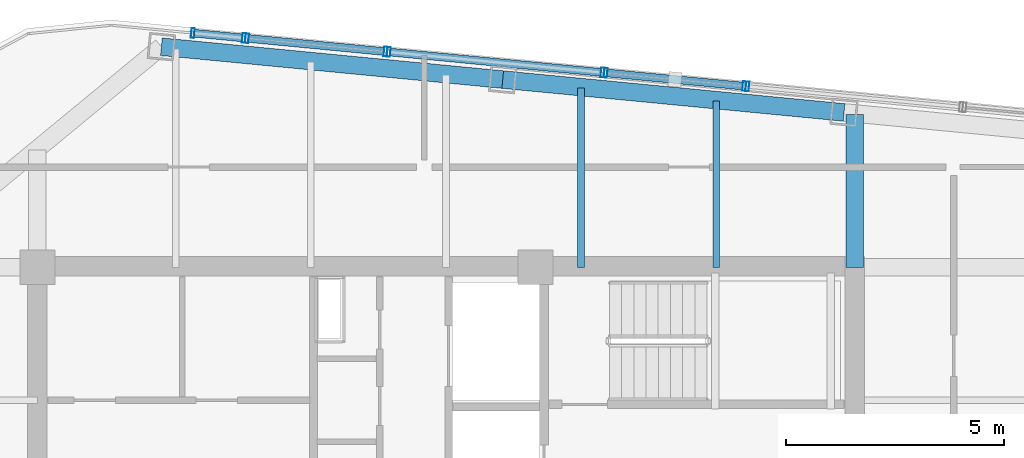
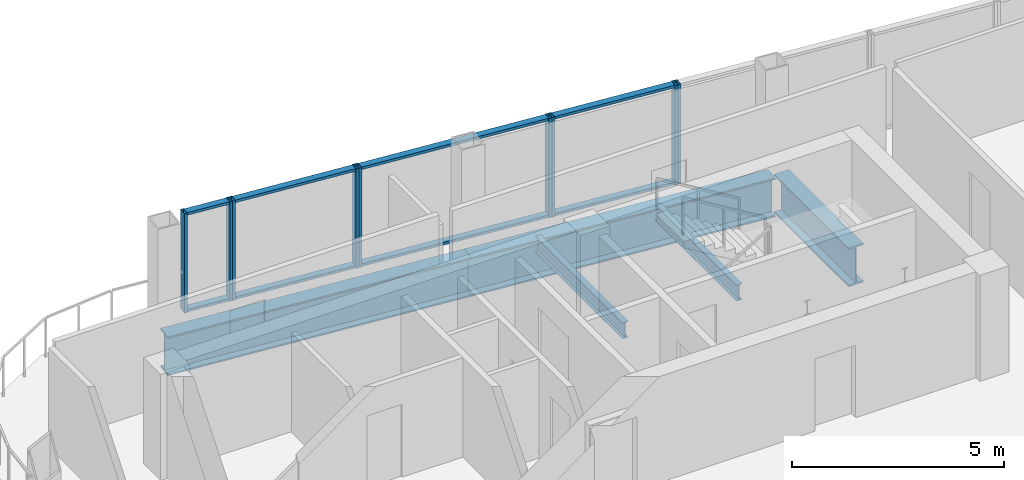
# One storey, part 14 of 22: 17 members, 5 beams, 5 elements without a shape of their own.
"""IFC4 building model written with IfcOpenShell, lengths in metres."""

from ifc_helpers import new_model, si_unit, direction, frame, origin, origin_2d, place, context, subcontext, project, spatial, hollow_rectangle, i_section, extrude, material, layer, layer_set, material_profile, profile_set, type_object, element, aggregate, save


model = new_model("IFC4")

# Units and contexts
model_context = context("Model", 3, precision=1e-05, world=origin(), true_north=direction((0.0, 1.0)))
body_context = subcontext(model_context, "Body", "Model", "MODEL_VIEW")
ifc_project = project(units=[si_unit("LENGTHUNIT", "METRE"), si_unit("AREAUNIT", "SQUARE_METRE"), si_unit("VOLUMEUNIT", "CUBIC_METRE"), si_unit("PLANEANGLEUNIT", "RADIAN"), si_unit("MASSUNIT", "GRAM", prefix="KILO")], contexts=[model_context])

# Site, building, storey
site_placement = place(None, origin())
site = spatial("IfcSite", under=ifc_project, at=site_placement, CompositionType="ELEMENT")
building_placement = place(site_placement, origin())
building = spatial("IfcBuilding", under=site, at=building_placement, Name="Qhalaya Broadcast Tower", CompositionType="ELEMENT")
storey_placement = place(building_placement, frame((0.0, 0.0, 245.89990234375)))
storey = spatial("IfcBuildingStorey", under=building, at=storey_placement, Name="L72", CompositionType="ELEMENT", Elevation=245.89990234375)

# Beams
ifc_material_1 = material(Name="Structural Steel ASTM A992 Grade 50", Category="steel")
ifc_material_profile_1 = material_profile(ifc_material_1, i_section(OverallWidth=0.154052734375, OverallDepth=0.458984375, WebThickness=0.009033203125, FlangeThickness=0.015380859375, at=origin_2d()), Name="W18X46")
ifc_profile_set_1 = profile_set([ifc_material_profile_1], Name="Structural Steel ASTM A992 Grade 50")
beam_type_1 = type_object("IfcBeamType", Name="Composite Floor Joist J04", PredefinedType="JOIST", material=ifc_profile_set_1)
beam_1_placement = place(storey_placement, frame((3.10009765625, 9.949951171875, -0.41943359375), z_axis=(0.0, 1.0, 0.0), x_axis=(-1.0, 0.0, 0.0)))
element("IfcBeam", 1, at=beam_1_placement, inside=storey, type_object=beam_type_1, Name="L72 J04 L72-JNN4-1", PredefinedType="JOIST", context=body_context, shape_type="SweptSolid", body=[
    extrude(i_section(OverallWidth=0.154052734375, OverallDepth=0.458984375, WebThickness=0.009033203125, FlangeThickness=0.015380859375, at=origin_2d()), origin(), (0.0, 0.0, 1.0), 4.11328125),
])
beam_2_placement = place(storey_placement, frame((6.199951171875, 9.949951171875, -0.41943359375), z_axis=(0.0, 1.0, 0.0), x_axis=(-1.0, 0.0, 0.0)))
element("IfcBeam", 2, at=beam_2_placement, inside=storey, type_object=beam_type_1, Name="L72 J04 L72-JNN5-1", PredefinedType="JOIST", context=body_context, shape_type="SweptSolid", body=[
    extrude(i_section(OverallWidth=0.154052734375, OverallDepth=0.458984375, WebThickness=0.009033203125, FlangeThickness=0.015380859375, at=origin_2d()), origin(), (0.0, 0.0, 1.0), 3.814697265625),
])
ifc_material_profile_2 = material_profile(ifc_material_1, i_section(OverallWidth=0.404052734375, OverallDepth=1.117919921875, WebThickness=0.026123046875, FlangeThickness=0.044921875, at=origin_2d()), Name="W44X335")
ifc_profile_set_2 = profile_set([ifc_material_profile_2], Name="Structural Steel ASTM A992 Grade 50")
beam_type_2 = type_object("IfcBeamType", Name="Podium Long-Span Primary Girder PG1", PredefinedType="USERDEFINED", material=ifc_profile_set_2)
beam_3_placement = place(storey_placement, frame((9.132568359375, 13.50244140625, -0.7490234375), z_axis=(-0.995397308407, 0.095834223619, 0.0), x_axis=(-0.095834223619, -0.995397308407, 0.0)))
element("IfcBeam", 3, at=beam_3_placement, inside=storey, type_object=beam_type_2, Name="L72 PG1 L72-SPR-10", ObjectType="GIRDER", PredefinedType="USERDEFINED", context=body_context, shape_type="SweptSolid", body=[
    extrude(i_section(OverallWidth=0.404052734375, OverallDepth=1.117919921875, WebThickness=0.026123046875, FlangeThickness=0.044921875, at=origin_2d()), origin(), (0.0, 0.0, 1.0), 7.86669921875),
])
beam_4_placement = place(storey_placement, frame((1.302001953125, 14.25634765625, -0.7490234375), z_axis=(-0.995394062251, 0.095867934346, 0.0), x_axis=(-0.095867934346, -0.995394062251, 0.0)))
element("IfcBeam", 4, at=beam_4_placement, inside=storey, type_object=beam_type_2, Name="L72 PG1 L72-SPR-11", ObjectType="GIRDER", PredefinedType="USERDEFINED", context=body_context, shape_type="SweptSolid", body=[
    extrude(i_section(OverallWidth=0.404052734375, OverallDepth=1.117919921875, WebThickness=0.026123046875, FlangeThickness=0.044921875, at=origin_2d()), origin(), (0.0, 0.0, 1.0), 7.866455078125),
])
beam_5_placement = place(storey_placement, frame((9.375, 9.949951171875, -0.7490234375), z_axis=(0.0, 1.0, 0.0), x_axis=(-1.0, 0.0, 0.0)))
element("IfcBeam", 5, at=beam_5_placement, inside=storey, type_object=beam_type_2, Name="L72 PG1 L72-PGXN2-1", ObjectType="GIRDER", PredefinedType="USERDEFINED", context=body_context, shape_type="SweptSolid", body=[
    extrude(i_section(OverallWidth=0.404052734375, OverallDepth=1.117919921875, WebThickness=0.026123046875, FlangeThickness=0.044921875, at=origin_2d()), origin(), (0.0, 0.0, 1.0), 3.509033203125),
])

# Curtain wall, member
ifc_material_2 = material(Name="Fired Architectural Terracotta", Category="masonry")
ifc_layer_1 = layer(ifc_material_2, 0.219970703125, Name="Fired Architectural Terracotta")
ifc_layer_set_1 = layer_set([ifc_layer_1], Name="Fired Architectural Terracotta")
curtain_wall_type_1 = type_object("IfcCurtainWallType", Name="Block-Cap Unitised Terracotta Spandrel Wall CW-07", PredefinedType="NOTDEFINED", material=ifc_layer_set_1)
curtain_wall_1_placement = place(storey_placement, origin())
curtain_wall_1 = element("IfcCurtainWall", 6, at=curtain_wall_1_placement, inside=storey, type_object=curtain_wall_type_1, Name="L72 Unitised Curtain Wall L72-CW-N3", PredefinedType="NOTDEFINED")
ifc_material_3 = material(Name="Anodised Aluminium 6063-T6", Category="aluminium")
ifc_material_profile_3 = material_profile(ifc_material_3, hollow_rectangle(XDim=0.074951171875, YDim=0.219970703125, WallThickness=0.00390625, at=origin_2d()), Name="ALU-MUL 75x220x4")
ifc_profile_set_3 = profile_set([ifc_material_profile_3], Name="Anodised Aluminium 6063-T6")
member_type_1 = type_object("IfcMemberType", Name="Unitised Curtain-Wall Mullion M01", PredefinedType="MULLION", material=ifc_profile_set_3)
member_1_placement = place(storey_placement, frame((6.91650390625, 14.09765625, 0.0), z_axis=(0.0, 0.0, 1.0), x_axis=(-0.995394803391, 0.095860238798, 0.0)))
member_1 = element("IfcMember", 7, at=member_1_placement, type_object=member_type_1, Name="CW-07 mullion 2", PredefinedType="MULLION", context=body_context, shape_type="SweptSolid", body=[
    extrude(hollow_rectangle(XDim=0.074951171875, YDim=0.219970703125, WallThickness=0.00390625, at=origin_2d()), origin(), (0.0, 0.0, 1.0), 2.860107421875),
])
aggregate(curtain_wall_1, [member_1])

# Curtain wall, members
ifc_material_4 = material(Name="Solar-Control Low-E Triple Glazing", Category="glass")
ifc_layer_2 = layer(ifc_material_4, 0.219970703125, Name="Solar-Control Low-E Triple Glazing")
ifc_layer_set_2 = layer_set([ifc_layer_2], Name="Solar-Control Low-E Triple Glazing")
curtain_wall_type_2 = type_object("IfcCurtainWallType", Name="High-Altitude Upper-Shaft Triple Low-E Curtain Wall CW-04", PredefinedType="NOTDEFINED", material=ifc_layer_set_2)
curtain_wall_2_placement = place(storey_placement, origin())
curtain_wall_2 = element("IfcCurtainWall", 8, at=curtain_wall_2_placement, inside=storey, type_object=curtain_wall_type_2, Name="L72 Unitised Curtain Wall L72-CW-N4", PredefinedType="NOTDEFINED")
member_2_placement = place(storey_placement, frame((6.841796875, 14.104736328125, 0.0), z_axis=(0.0, 0.0, 1.0), x_axis=(-0.995396959799, 0.095837844424, 0.0)))
member_2 = element("IfcMember", 9, at=member_2_placement, type_object=member_type_1, Name="CW-04 mullion 1", PredefinedType="MULLION", context=body_context, shape_type="SweptSolid", body=[
    extrude(hollow_rectangle(XDim=0.074951171875, YDim=0.219970703125, WallThickness=0.00390625, at=origin_2d()), origin(), (0.0, 0.0, 1.0), 2.860107421875),
])
member_3_placement = place(storey_placement, frame((3.66552734375, 14.41064453125, 0.0), z_axis=(0.0, 0.0, 1.0), x_axis=(-0.995396959799, 0.095837844424, 0.0)))
member_3 = element("IfcMember", 10, at=member_3_placement, type_object=member_type_1, Name="CW-04 mullion 2", PredefinedType="MULLION", context=body_context, shape_type="SweptSolid", body=[
    extrude(hollow_rectangle(XDim=0.074951171875, YDim=0.219970703125, WallThickness=0.00390625, at=origin_2d()), origin(), (0.0, 0.0, 1.0), 2.860107421875),
])

curtain_wall_3_placement = place(storey_placement, origin())
curtain_wall_3 = element("IfcCurtainWall", 11, at=curtain_wall_3_placement, inside=storey, type_object=curtain_wall_type_1, Name="L72 Unitised Curtain Wall L72-CW-N5", PredefinedType="NOTDEFINED")
member_4_placement = place(storey_placement, frame((3.591064453125, 14.417724609375, 0.0), z_axis=(0.0, 0.0, 1.0), x_axis=(-0.995394873929, 0.095859506338, 0.0)))
member_4 = element("IfcMember", 12, at=member_4_placement, type_object=member_type_1, Name="CW-07 mullion 1", PredefinedType="MULLION", context=body_context, shape_type="SweptSolid", body=[
    extrude(hollow_rectangle(XDim=0.074951171875, YDim=0.219970703125, WallThickness=0.00390625, at=origin_2d()), origin(), (0.0, 0.0, 1.0), 2.860107421875),
])
member_5_placement = place(storey_placement, frame((-1.311279296875, 14.889892578125, 0.0), z_axis=(0.0, 0.0, 1.0), x_axis=(-0.995394873929, 0.095859506338, 0.0)))
member_5 = element("IfcMember", 13, at=member_5_placement, type_object=member_type_1, Name="CW-07 mullion 2", PredefinedType="MULLION", context=body_context, shape_type="SweptSolid", body=[
    extrude(hollow_rectangle(XDim=0.074951171875, YDim=0.219970703125, WallThickness=0.00390625, at=origin_2d()), origin(), (0.0, 0.0, 1.0), 2.860107421875),
])

curtain_wall_4_placement = place(storey_placement, origin())
curtain_wall_4 = element("IfcCurtainWall", 14, at=curtain_wall_4_placement, inside=storey, type_object=curtain_wall_type_2, Name="L72 Unitised Curtain Wall L72-CW-N6", PredefinedType="NOTDEFINED")
member_6_placement = place(storey_placement, frame((-1.385986328125, 14.89697265625, 0.0), z_axis=(0.0, 0.0, 1.0), x_axis=(-0.995397132343, 0.095836052317, 0.0)))
member_6 = element("IfcMember", 15, at=member_6_placement, type_object=member_type_1, Name="CW-04 mullion 1", PredefinedType="MULLION", context=body_context, shape_type="SweptSolid", body=[
    extrude(hollow_rectangle(XDim=0.074951171875, YDim=0.219970703125, WallThickness=0.00390625, at=origin_2d()), origin(), (0.0, 0.0, 1.0), 2.860107421875),
])
member_7_placement = place(storey_placement, frame((-4.5634765625, 15.203125, 0.0), z_axis=(0.0, 0.0, 1.0), x_axis=(-0.995397132343, 0.095836052317, 0.0)))
member_7 = element("IfcMember", 16, at=member_7_placement, type_object=member_type_1, Name="CW-04 mullion 2", PredefinedType="MULLION", context=body_context, shape_type="SweptSolid", body=[
    extrude(hollow_rectangle(XDim=0.074951171875, YDim=0.219970703125, WallThickness=0.00390625, at=origin_2d()), origin(), (0.0, 0.0, 1.0), 2.860107421875),
])

curtain_wall_5_placement = place(storey_placement, origin())
curtain_wall_5 = element("IfcCurtainWall", 17, at=curtain_wall_5_placement, inside=storey, type_object=curtain_wall_type_1, Name="L72 Unitised Curtain Wall L72-CW-N7", PredefinedType="NOTDEFINED")
member_8_placement = place(storey_placement, frame((-4.637939453125, 15.210205078125, 0.0), z_axis=(0.0, 0.0, 1.0), x_axis=(-0.995396414656, 0.095843506251, 0.0)))
member_8 = element("IfcMember", 18, at=member_8_placement, type_object=member_type_1, Name="CW-07 mullion 1", PredefinedType="MULLION", context=body_context, shape_type="SweptSolid", body=[
    extrude(hollow_rectangle(XDim=0.074951171875, YDim=0.219970703125, WallThickness=0.00390625, at=origin_2d()), origin(), (0.0, 0.0, 1.0), 2.860107421875),
])
member_9_placement = place(storey_placement, frame((-5.8076171875, 15.32275390625, 0.0), z_axis=(0.0, 0.0, 1.0), x_axis=(-0.995396414656, 0.095843506251, 0.0)))
member_9 = element("IfcMember", 19, at=member_9_placement, type_object=member_type_1, Name="CW-07 mullion 2", PredefinedType="MULLION", context=body_context, shape_type="SweptSolid", body=[
    extrude(hollow_rectangle(XDim=0.074951171875, YDim=0.219970703125, WallThickness=0.00390625, at=origin_2d()), origin(), (0.0, 0.0, 1.0), 2.860107421875),
])

# Member
ifc_material_profile_4 = material_profile(ifc_material_3, hollow_rectangle(XDim=0.074951171875, YDim=0.179931640625, WallThickness=0.00390625, at=origin_2d()), Name="ALU-TRN 75x180x4")
ifc_profile_set_4 = profile_set([ifc_material_profile_4], Name="Anodised Aluminium 6063-T6")
member_type_2 = type_object("IfcMemberType", Name="Unitised Curtain-Wall Transom T01", PredefinedType="USERDEFINED", material=ifc_profile_set_4)
member_10_placement = place(storey_placement, frame((6.804443359375, 14.1083984375, 0.03759765625), z_axis=(-0.995398112341, 0.095825873063, 0.0), x_axis=(0.0, 0.0, 1.0)))
member_10 = element("IfcMember", 20, at=member_10_placement, type_object=member_type_2, Name="CW-04 transom 1.1", ObjectType="TRANSOM", PredefinedType="USERDEFINED", context=body_context, shape_type="SweptSolid", body=[
    extrude(hollow_rectangle(XDim=0.074951171875, YDim=0.179931640625, WallThickness=0.00390625, at=origin_2d()), origin(), (0.0, 0.0, 1.0), 3.115966796875),
])

member_11_placement = place(storey_placement, frame((6.804443359375, 14.1083984375, 2.822509765625), z_axis=(-0.995398112341, 0.095825873063, 0.0), x_axis=(0.0, 0.0, 1.0)))
member_11 = element("IfcMember", 21, at=member_11_placement, type_object=member_type_2, Name="CW-04 transom 1.2", ObjectType="TRANSOM", PredefinedType="USERDEFINED", context=body_context, shape_type="SweptSolid", body=[
    extrude(hollow_rectangle(XDim=0.074951171875, YDim=0.179931640625, WallThickness=0.00390625, at=origin_2d()), origin(), (0.0, 0.0, 1.0), 3.115966796875),
])

aggregate(curtain_wall_2, [member_2, member_3, member_10, member_11])

member_12_placement = place(storey_placement, frame((3.5537109375, 14.42138671875, 0.03759765625), z_axis=(-0.995396292684, 0.095844772998, 0.0), x_axis=(0.0, 0.0, 1.0)))
member_12 = element("IfcMember", 22, at=member_12_placement, type_object=member_type_2, Name="CW-07 transom 1.1", ObjectType="TRANSOM", PredefinedType="USERDEFINED", context=body_context, shape_type="SweptSolid", body=[
    extrude(hollow_rectangle(XDim=0.074951171875, YDim=0.179931640625, WallThickness=0.00390625, at=origin_2d()), origin(), (0.0, 0.0, 1.0), 4.849853515625),
])

member_13_placement = place(storey_placement, frame((3.5537109375, 14.42138671875, 2.822509765625), z_axis=(-0.995396292684, 0.095844772998, 0.0), x_axis=(0.0, 0.0, 1.0)))
member_13 = element("IfcMember", 23, at=member_13_placement, type_object=member_type_2, Name="CW-07 transom 1.2", ObjectType="TRANSOM", PredefinedType="USERDEFINED", context=body_context, shape_type="SweptSolid", body=[
    extrude(hollow_rectangle(XDim=0.074951171875, YDim=0.179931640625, WallThickness=0.00390625, at=origin_2d()), origin(), (0.0, 0.0, 1.0), 4.849853515625),
])

aggregate(curtain_wall_3, [member_4, member_5, member_12, member_13])

member_14_placement = place(storey_placement, frame((-1.42333984375, 14.900634765625, 0.03759765625), z_axis=(-0.995394236789, 0.095866122105, 0.0), x_axis=(0.0, 0.0, 1.0)))
member_14 = element("IfcMember", 24, at=member_14_placement, type_object=member_type_2, Name="CW-04 transom 1.1", ObjectType="TRANSOM", PredefinedType="USERDEFINED", context=body_context, shape_type="SweptSolid", body=[
    extrude(hollow_rectangle(XDim=0.074951171875, YDim=0.179931640625, WallThickness=0.00390625, at=origin_2d()), origin(), (0.0, 0.0, 1.0), 3.1171875),
])

member_15_placement = place(storey_placement, frame((-1.42333984375, 14.900634765625, 2.822509765625), z_axis=(-0.995394236789, 0.095866122105, 0.0), x_axis=(0.0, 0.0, 1.0)))
member_15 = element("IfcMember", 25, at=member_15_placement, type_object=member_type_2, Name="CW-04 transom 1.2", ObjectType="TRANSOM", PredefinedType="USERDEFINED", context=body_context, shape_type="SweptSolid", body=[
    extrude(hollow_rectangle(XDim=0.074951171875, YDim=0.179931640625, WallThickness=0.00390625, at=origin_2d()), origin(), (0.0, 0.0, 1.0), 3.1171875),
])

aggregate(curtain_wall_4, [member_6, member_7, member_14, member_15])

member_16_placement = place(storey_placement, frame((-4.67529296875, 15.2138671875, 0.03759765625), z_axis=(-0.995414313875, 0.095657429048, 0.0), x_axis=(0.0, 0.0, 1.0)))
member_16 = element("IfcMember", 26, at=member_16_placement, type_object=member_type_2, Name="CW-07 transom 1.1", ObjectType="TRANSOM", PredefinedType="USERDEFINED", context=body_context, shape_type="SweptSolid", body=[
    extrude(hollow_rectangle(XDim=0.074951171875, YDim=0.179931640625, WallThickness=0.00390625, at=origin_2d()), origin(), (0.0, 0.0, 1.0), 1.10009765625),
])

member_17_placement = place(storey_placement, frame((-4.67529296875, 15.2138671875, 2.822509765625), z_axis=(-0.995414313875, 0.095657429048, 0.0), x_axis=(0.0, 0.0, 1.0)))
member_17 = element("IfcMember", 27, at=member_17_placement, type_object=member_type_2, Name="CW-07 transom 1.2", ObjectType="TRANSOM", PredefinedType="USERDEFINED", context=body_context, shape_type="SweptSolid", body=[
    extrude(hollow_rectangle(XDim=0.074951171875, YDim=0.179931640625, WallThickness=0.00390625, at=origin_2d()), origin(), (0.0, 0.0, 1.0), 1.10009765625),
])

aggregate(curtain_wall_5, [member_8, member_9, member_16, member_17])

save(model, "model.ifc")
